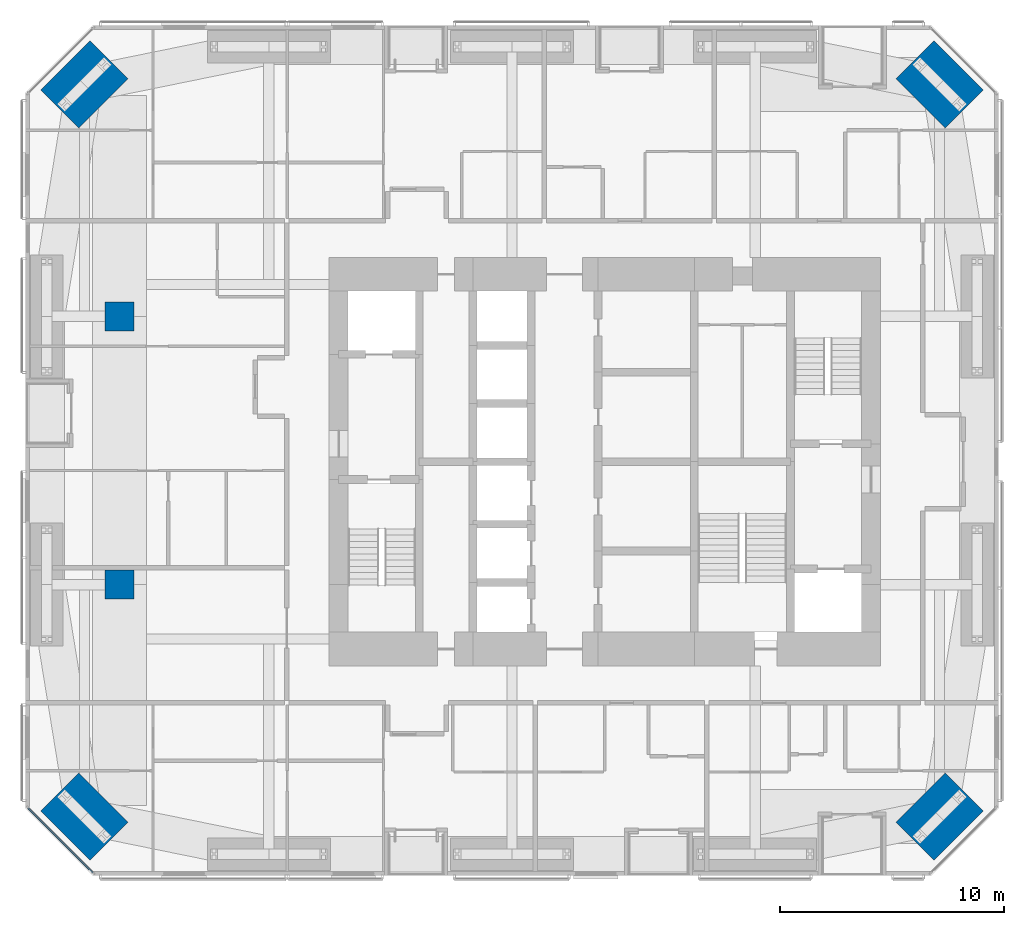
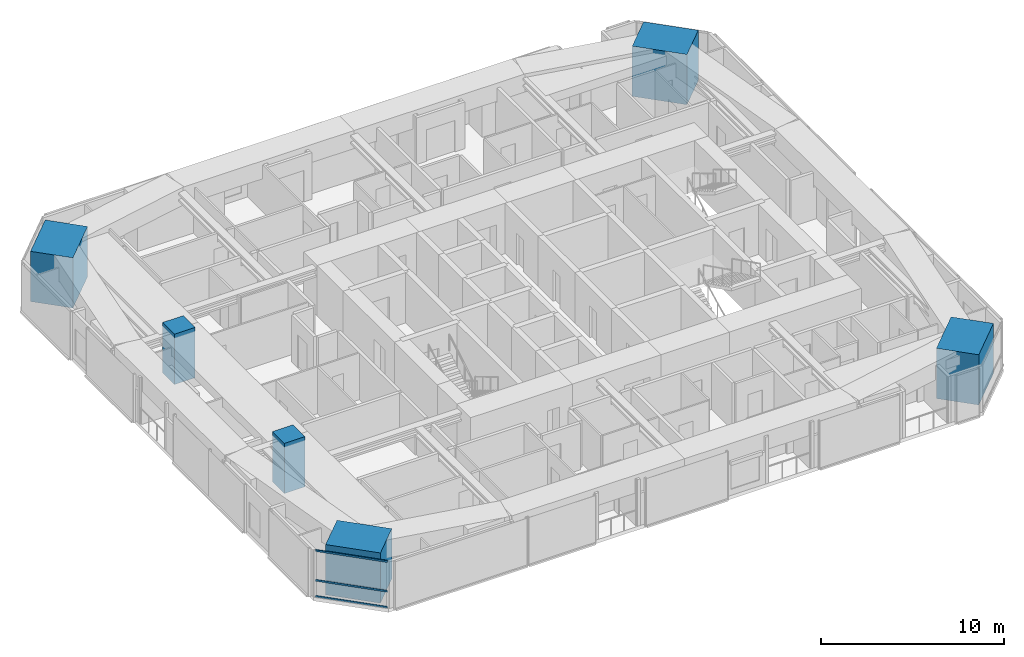
# One storey, part 1 of 25: 6 columns, 3 members, 1 element without a shape of its own.
"""IFC4 building model written with IfcOpenShell, lengths in metres."""

from ifc_helpers import new_model, si_unit, direction, frame, origin, origin_2d, place, context, subcontext, project, spatial, rectangle, extrude, material, material_profile, profile_set, type_object, element, aggregate, save


model = new_model("IFC4")

# Units and contexts
model_context = context("Model", 3, precision=1e-05, world=origin(), true_north=direction((0.0, 1.0)))
body_context = subcontext(model_context, "Body", "Model", "MODEL_VIEW")
ifc_project = project(units=[si_unit("LENGTHUNIT", "METRE"), si_unit("AREAUNIT", "SQUARE_METRE"), si_unit("VOLUMEUNIT", "CUBIC_METRE"), si_unit("PLANEANGLEUNIT", "RADIAN"), si_unit("MASSUNIT", "GRAM", prefix="KILO")], contexts=[model_context])

# Site, building, storey
site_placement = place(None, origin())
site = spatial("IfcSite", under=ifc_project, at=site_placement, CompositionType="ELEMENT")
building_placement = place(site_placement, origin())
building = spatial("IfcBuilding", under=site, at=building_placement, Name="Jalousie Tower", CompositionType="ELEMENT")
storey_placement = place(building_placement, frame((0.0, 0.0, 94.800048828125)))
storey = spatial("IfcBuildingStorey", under=building, at=storey_placement, Name="L25", CompositionType="ELEMENT", Elevation=94.800048828125)

# Columns
ifc_material_1 = material(Name="Concrete f'c 120 MPa", Category="concrete")
ifc_material_profile_1 = material_profile(ifc_material_1, rectangle(XDim=1.300048828125, YDim=1.300048828125, at=origin_2d()), Name="RC 1300x1300")
ifc_profile_set_1 = profile_set([ifc_material_profile_1], Name="Concrete f'c 120 MPa")
column_type_1 = type_object("IfcColumnType", Name="RC COLUMN 1300x1300", PredefinedType="COLUMN", material=ifc_profile_set_1)
for number, where, z_axis, x_axis, name in (
    (1, (10.199951171875, 13.0, 0.0), (0.0, 0.0, 1.0), (1.0, 0.0, 0.0), "Interior column IB1 L25"),
    (2, (10.199951171875, 25.0, 0.0), (0.0, 0.0, 1.0), (1.0, 0.0, 0.0), "Interior column IB2 L25"),
):
    element("IfcColumn", number, at=place(storey_placement, frame(where, z_axis=z_axis, x_axis=x_axis)), inside=storey, type_object=column_type_1, Name=name, PredefinedType="COLUMN", context=body_context, shape_type="SweptSolid", body=[
        extrude(rectangle(XDim=1.300048828125, YDim=1.300048828125, at=origin_2d()), origin(), (0.0, 0.0, 1.0), 3.349853515625),
    ])
ifc_material_2 = material(Name="Concrete f'c 120 MPa", Category="concrete")
ifc_material_profile_2 = material_profile(ifc_material_2, rectangle(XDim=2.39990234375, YDim=3.10009765625, at=origin_2d()), Name="RC 2400x3100")
ifc_profile_set_2 = profile_set([ifc_material_profile_2], Name="Concrete f'c 120 MPa")
column_type_2 = type_object("IfcColumnType", Name="RC CORNER COLUMN 2400x3100", PredefinedType="COLUMN", material=ifc_profile_set_2)
for number, where, z_axis, x_axis, name in (
    (3, (8.63134765625, 2.63134765625, 0.0), (0.0, 0.0, 1.0), (0.707106781187, 0.707106781187, 0.0), "Corner column 01 L25"),
    (4, (46.86865234375, 2.63134765625, 0.0), (0.0, 0.0, 1.0), (-0.707106781187, 0.707106781187, 0.0), "Corner column 05 L25"),
    (5, (46.86865234375, 35.36865234375, 0.0), (0.0, 0.0, 1.0), (-0.707106781187, -0.707106781187, 0.0), "Corner column 08 L25"),
    (6, (8.63134765625, 35.36865234375, 0.0), (0.0, 0.0, 1.0), (0.707106781187, -0.707106781187, 0.0), "Corner column 12 L25"),
):
    element("IfcColumn", number, at=place(storey_placement, frame(where, z_axis=z_axis, x_axis=x_axis)), inside=storey, type_object=column_type_2, Name=name, PredefinedType="COLUMN", context=body_context, shape_type="SweptSolid", body=[
        extrude(rectangle(XDim=2.39990234375, YDim=3.10009765625, at=origin_2d()), origin(), (0.0, 0.0, 1.0), 3.349853515625),
    ])

# Curtain wall, members
ifc_material_3 = material(Name="Aluminium curtain wall", Category="aluminium")
curtain_wall_type = type_object("IfcCurtainWallType", Name="CORNER WINDOW WALL", PredefinedType="USERDEFINED", material=ifc_material_3)
curtain_wall_placement = place(storey_placement, origin())
curtain_wall = element("IfcCurtainWall", 7, at=curtain_wall_placement, inside=storey, type_object=curtain_wall_type, Name="Corner Window Wall L25 8", ObjectType="CORNER WINDOW WALL", PredefinedType="USERDEFINED")
ifc_material_4 = material(Name="Aluminium transom", Category="aluminium")
ifc_material_profile_3 = material_profile(ifc_material_4, rectangle(XDim=0.06005859375, YDim=0.1201171875, at=origin_2d()), Name="TRANSOM 60x120")
ifc_profile_set_3 = profile_set([ifc_material_profile_3], Name="Aluminium transom")
member_type = type_object("IfcMemberType", Name="CORNER WINDOW WALL TRANSOM", PredefinedType="USERDEFINED", material=ifc_profile_set_3)
member_1_placement = place(storey_placement, frame((6.1298828125, 3.0087890625, 0.030029296875), z_axis=(0.707106781187, -0.707106781187, 0.0), x_axis=(0.707106781187, 0.707106781187, 0.0)))
member_1 = element("IfcMember", 8, at=member_1_placement, type_object=member_type, Name="CW-C transom 1.1", ObjectType="TRANSOM", PredefinedType="USERDEFINED", context=body_context, shape_type="SweptSolid", body=[
    extrude(rectangle(XDim=0.06005859375, YDim=0.1201171875, at=origin_2d()), origin(), (0.0, 0.0, 1.0), 4.0712890625),
])
member_2_placement = place(storey_placement, frame((6.1298828125, 3.0087890625, 1.099853515625), z_axis=(0.707106781187, -0.707106781187, 0.0), x_axis=(0.707106781187, 0.707106781187, 0.0)))
member_2 = element("IfcMember", 9, at=member_2_placement, type_object=member_type, Name="CW-C transom 1.2", ObjectType="TRANSOM", PredefinedType="USERDEFINED", context=body_context, shape_type="SweptSolid", body=[
    extrude(rectangle(XDim=0.06005859375, YDim=0.1201171875, at=origin_2d()), origin(), (0.0, 0.0, 1.0), 4.0712890625),
])
member_3_placement = place(storey_placement, frame((6.1298828125, 3.0087890625, 3.079833984375), z_axis=(0.707106781187, -0.707106781187, 0.0), x_axis=(0.707106781187, 0.707106781187, 0.0)))
member_3 = element("IfcMember", 10, at=member_3_placement, type_object=member_type, Name="CW-C transom 1.3", ObjectType="TRANSOM", PredefinedType="USERDEFINED", context=body_context, shape_type="SweptSolid", body=[
    extrude(rectangle(XDim=0.06005859375, YDim=0.1201171875, at=origin_2d()), origin(), (0.0, 0.0, 1.0), 4.0712890625),
])
aggregate(curtain_wall, [member_1, member_2, member_3])

save(model, "model.ifc")
